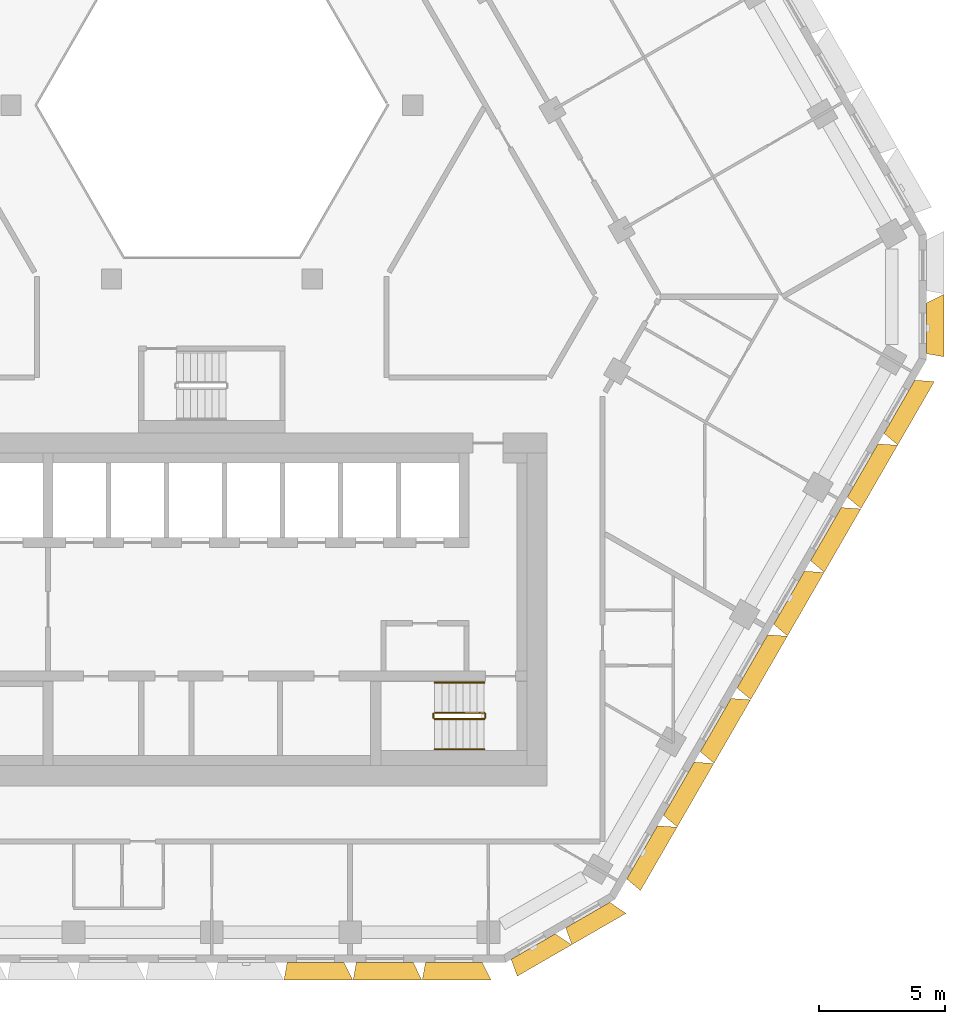
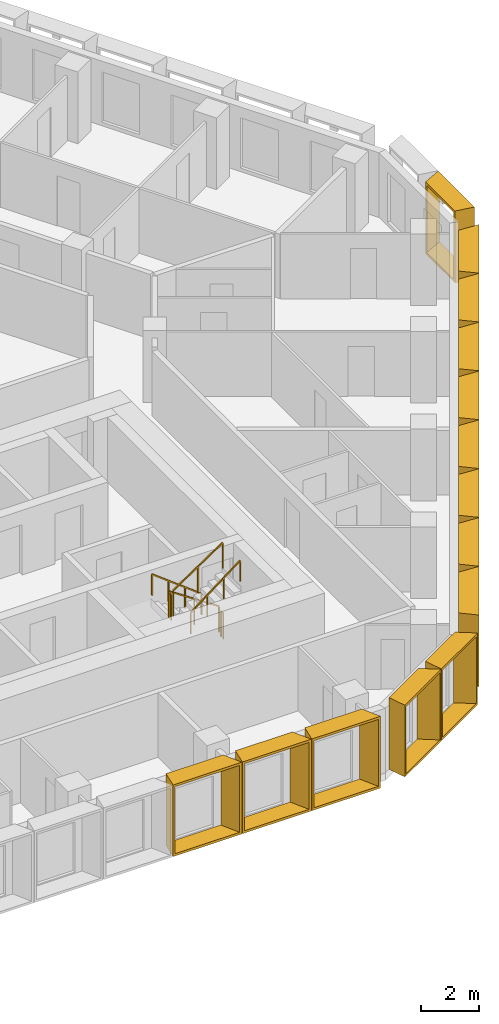
# One storey, part 16 of 17: 14 shading devices, 6 railings.
"""IFC4 building model written with IfcOpenShell, lengths in metres."""

from ifc_helpers import new_model, entity, si_unit, direction, frame, origin, origin_2d, place, context, subcontext, project, spatial, rectangle, extrude, source, transform, mapped, material, type_object, type_shapes, element, save


model = new_model("IFC4")

# Units and contexts
model_context = context("Model", 3, precision=1e-05, world=origin(), true_north=direction((0.0, 1.0)))
body_context = subcontext(model_context, "Body", "Model", "MODEL_VIEW")
ifc_project = project(units=[si_unit("LENGTHUNIT", "METRE"), si_unit("AREAUNIT", "SQUARE_METRE"), si_unit("VOLUMEUNIT", "CUBIC_METRE"), si_unit("PLANEANGLEUNIT", "RADIAN"), si_unit("MASSUNIT", "GRAM", prefix="KILO")], contexts=[model_context])

# Site, building, storey
site_placement = place(None, origin())
site = spatial("IfcSite", under=ifc_project, at=site_placement, CompositionType="ELEMENT")
building_placement = place(site_placement, origin())
building = spatial("IfcBuilding", under=site, at=building_placement, Name="Beryl Residences", CompositionType="ELEMENT")
storey_placement = place(building_placement, frame((0.0, 0.0, 126.60009765625)))
storey = spatial("IfcBuildingStorey", under=building, at=storey_placement, Name="L38", CompositionType="ELEMENT", Elevation=126.60009765625)

# Shading devices
ifc_material_1 = material(Name="Aluminium pale anodised", Category="aluminium")
shading_device_type_1 = type_object("IfcShadingDeviceType", Name="FR250-70C OUTER SKIN frame 700 mm deep, splay 10/26 deg, 2500 x 3000 mm cell", PredefinedType="USERDEFINED", material=ifc_material_1)
cartesian_point_1 = entity("IfcCartesianPoint", [-1.007568359375, 0.0])
cartesian_point_2 = entity("IfcCartesianPoint", [-0.92626953125, 0.10009765625])
cartesian_point_3 = entity("IfcCartesianPoint", [-1.130859375, 0.0])
cartesian_point_4 = entity("IfcCartesianPoint", [-1.0498046875, 0.10009765625])
shared_shape_1 = source(origin(), body_context, "Body", "SweptSolid", [
    entity("IfcExtrudedAreaSolidTapered", entity("IfcArbitraryProfileDefWithVoids", "AREA", None, entity("IfcPolyline", [cartesian_point_1, entity("IfcCartesianPoint", [1.007568359375, 0.0]), entity("IfcCartesianPoint", [1.007568359375, 3.0]), entity("IfcCartesianPoint", [-1.007568359375, 3.0]), cartesian_point_1]), [entity("IfcPolyline", [cartesian_point_2, entity("IfcCartesianPoint", [0.91845703125, 0.10009765625]), entity("IfcCartesianPoint", [0.91845703125, 2.89990234375]), entity("IfcCartesianPoint", [-0.92626953125, 2.89990234375]), cartesian_point_2])]), entity("IfcAxis2Placement3D", entity("IfcCartesianPoint", [0.0, 0.0, 0.0]), entity("IfcDirection", [0.0, 1.0, 0.0]), entity("IfcDirection", [-1.0, 0.0, 0.0])), entity("IfcDirection", [0.0, 0.0, 1.0]), 0.699951171875, entity("IfcArbitraryProfileDefWithVoids", "AREA", None, entity("IfcPolyline", [cartesian_point_3, entity("IfcCartesianPoint", [1.348876953125, 0.0]), entity("IfcCartesianPoint", [1.348876953125, 3.0]), entity("IfcCartesianPoint", [-1.130859375, 3.0]), cartesian_point_3]), [entity("IfcPolyline", [cartesian_point_4, entity("IfcCartesianPoint", [1.260009765625, 0.10009765625]), entity("IfcCartesianPoint", [1.260009765625, 2.89990234375]), entity("IfcCartesianPoint", [-1.0498046875, 2.89990234375]), cartesian_point_4])])),
])
type_shapes(shading_device_type_1, [shared_shape_1])
for number, where, z_axis, x_axis, name in (
    (1, (12.7451171875, -25.375, 0.0), (0.0, 0.0, 1.0), (-0.866025403784, -0.5, 0.0), "FR250-70C frame L38 S-SE 1"),
    (2, (14.909912109375, -24.125, 0.0), (0.0, 0.0, 1.0), (-0.866025403784, -0.5, 0.0), "FR250-70C frame L38 S-SE 2"),
    (3, (28.347900390625, -0.85009765625, 0.0), (0.0, 0.0, 1.0), (0.0, -1.0, 0.0), "FR250-70C frame L38 SE-NE 1"),
):
    element("IfcShadingDevice", number, at=place(storey_placement, frame(where, z_axis=z_axis, x_axis=x_axis)), inside=storey, type_object=shading_device_type_1, Name=name, ObjectType="OUTER SKIN", PredefinedType="USERDEFINED", context=body_context, shape_type="MappedRepresentation", body=[
        mapped(shared_shape_1, transform((0.0, 0.0, 0.0))),
    ])
ifc_material_2 = material(Name="Aluminium pale anodised", Category="aluminium")
shading_device_type_2 = type_object("IfcShadingDeviceType", Name="FR274-70C OUTER SKIN frame 700 mm deep, splay 10/26 deg, 2740 x 3000 mm cell", PredefinedType="USERDEFINED", material=ifc_material_2)
cartesian_point_5 = entity("IfcCartesianPoint", [-1.12744140625, 0.0])
cartesian_point_6 = entity("IfcCartesianPoint", [-1.04638671875, 0.10009765625])
cartesian_point_7 = entity("IfcCartesianPoint", [-1.2509765625, 0.0])
cartesian_point_8 = entity("IfcCartesianPoint", [-1.169677734375, 0.10009765625])
shared_shape_2 = source(origin(), body_context, "Body", "SweptSolid", [
    entity("IfcExtrudedAreaSolidTapered", entity("IfcArbitraryProfileDefWithVoids", "AREA", None, entity("IfcPolyline", [cartesian_point_5, entity("IfcCartesianPoint", [1.12744140625, 0.0]), entity("IfcCartesianPoint", [1.12744140625, 3.0]), entity("IfcCartesianPoint", [-1.12744140625, 3.0]), cartesian_point_5]), [entity("IfcPolyline", [cartesian_point_6, entity("IfcCartesianPoint", [1.03857421875, 0.10009765625]), entity("IfcCartesianPoint", [1.03857421875, 2.89990234375]), entity("IfcCartesianPoint", [-1.04638671875, 2.89990234375]), cartesian_point_6])]), entity("IfcAxis2Placement3D", entity("IfcCartesianPoint", [0.0, 0.0, 0.0]), entity("IfcDirection", [0.0, 1.0, 0.0]), entity("IfcDirection", [-1.0, 0.0, 0.0])), entity("IfcDirection", [0.0, 0.0, 1.0]), 0.699951171875, entity("IfcArbitraryProfileDefWithVoids", "AREA", None, entity("IfcPolyline", [cartesian_point_7, entity("IfcCartesianPoint", [1.468994140625, 0.0]), entity("IfcCartesianPoint", [1.468994140625, 3.0]), entity("IfcCartesianPoint", [-1.2509765625, 3.0]), cartesian_point_7]), [entity("IfcPolyline", [cartesian_point_8, entity("IfcCartesianPoint", [1.3798828125, 0.10009765625]), entity("IfcCartesianPoint", [1.3798828125, 2.89990234375]), entity("IfcCartesianPoint", [-1.169677734375, 2.89990234375]), cartesian_point_8])])),
])
type_shapes(shading_device_type_2, [shared_shape_2])
for number, where, z_axis, x_axis, name in (
    (4, (4.114990234375, -26.0, 0.0), (0.0, 0.0, 1.0), (-1.0, 0.0, 0.0), "FR274-70C frame L38 S 6"),
    (5, (6.85693359375, -26.0, 0.0), (0.0, 0.0, 1.0), (-1.0, 0.0, 0.0), "FR274-70C frame L38 S 7"),
    (6, (9.60009765625, -26.0, 0.0), (0.0, 0.0, 1.0), (-1.0, 0.0, 0.0), "FR274-70C frame L38 S 8"),
):
    element("IfcShadingDevice", number, at=place(storey_placement, frame(where, z_axis=z_axis, x_axis=x_axis)), inside=storey, type_object=shading_device_type_2, Name=name, ObjectType="OUTER SKIN", PredefinedType="USERDEFINED", context=body_context, shape_type="MappedRepresentation", body=[
        mapped(shared_shape_2, transform((0.0, 0.0, 0.0))),
    ])
ifc_material_3 = material(Name="Aluminium pale anodised", Category="aluminium")
shading_device_type_3 = type_object("IfcShadingDeviceType", Name="FR292-70C OUTER SKIN frame 700 mm deep, splay 10/26 deg, 2920 x 3000 mm cell", PredefinedType="USERDEFINED", material=ifc_material_3)
cartesian_point_9 = entity("IfcCartesianPoint", [-1.217529296875, 0.0])
cartesian_point_10 = entity("IfcCartesianPoint", [-1.13623046875, 0.10009765625])
cartesian_point_11 = entity("IfcCartesianPoint", [-1.3408203125, 0.0])
cartesian_point_12 = entity("IfcCartesianPoint", [-1.259765625, 0.10009765625])
shared_shape_3 = source(origin(), body_context, "Body", "SweptSolid", [
    entity("IfcExtrudedAreaSolidTapered", entity("IfcArbitraryProfileDefWithVoids", "AREA", None, entity("IfcPolyline", [cartesian_point_9, entity("IfcCartesianPoint", [1.217529296875, 0.0]), entity("IfcCartesianPoint", [1.217529296875, 3.0]), entity("IfcCartesianPoint", [-1.217529296875, 3.0]), cartesian_point_9]), [entity("IfcPolyline", [cartesian_point_10, entity("IfcCartesianPoint", [1.12841796875, 0.10009765625]), entity("IfcCartesianPoint", [1.12841796875, 2.89990234375]), entity("IfcCartesianPoint", [-1.13623046875, 2.89990234375]), cartesian_point_10])]), entity("IfcAxis2Placement3D", entity("IfcCartesianPoint", [0.0, 0.0, 0.0]), entity("IfcDirection", [0.0, 1.0, 0.0]), entity("IfcDirection", [-1.0, 0.0, 0.0])), entity("IfcDirection", [0.0, 0.0, 1.0]), 0.699951171875, entity("IfcArbitraryProfileDefWithVoids", "AREA", None, entity("IfcPolyline", [cartesian_point_11, entity("IfcCartesianPoint", [1.558837890625, 0.0]), entity("IfcCartesianPoint", [1.558837890625, 3.0]), entity("IfcCartesianPoint", [-1.3408203125, 3.0]), cartesian_point_11]), [entity("IfcPolyline", [cartesian_point_12, entity("IfcCartesianPoint", [1.469970703125, 0.10009765625]), entity("IfcCartesianPoint", [1.469970703125, 2.89990234375]), entity("IfcCartesianPoint", [-1.259765625, 2.89990234375]), cartesian_point_12])])),
])
type_shapes(shading_device_type_3, [shared_shape_3])
for number, where, z_axis, x_axis, name in (
    (7, (17.06689453125, -21.637939453125, 0.0), (0.0, 0.0, 1.0), (-0.5, -0.866025403784, 0.0), "FR292-70C frame L38 SE 1"),
    (8, (18.52490234375, -19.113037109375, 0.0), (0.0, 0.0, 1.0), (-0.5, -0.866025403784, 0.0), "FR292-70C frame L38 SE 2"),
    (9, (19.98291015625, -16.587890625, 0.0), (0.0, 0.0, 1.0), (-0.5, -0.866025403784, 0.0), "FR292-70C frame L38 SE 3"),
    (10, (21.44091796875, -14.06298828125, 0.0), (0.0, 0.0, 1.0), (-0.5, -0.866025403784, 0.0), "FR292-70C frame L38 SE 4"),
    (11, (22.89794921875, -11.5380859375, 0.0), (0.0, 0.0, 1.0), (-0.5, -0.866025403784, 0.0), "FR292-70C frame L38 SE 5"),
    (12, (24.35595703125, -9.013916015625, 0.0), (0.0, 0.0, 1.0), (-0.5, -0.866025403784, 0.0), "FR292-70C frame L38 SE 6"),
    (13, (25.81396484375, -6.489013671875, 0.0), (0.0, 0.0, 1.0), (-0.5, -0.866025403784, 0.0), "FR292-70C frame L38 SE 7"),
    (14, (27.27197265625, -3.964111328125, 0.0), (0.0, 0.0, 1.0), (-0.5, -0.866025403784, 0.0), "FR292-70C frame L38 SE 8"),
):
    element("IfcShadingDevice", number, at=place(storey_placement, frame(where, z_axis=z_axis, x_axis=x_axis)), inside=storey, type_object=shading_device_type_3, Name=name, ObjectType="OUTER SKIN", PredefinedType="USERDEFINED", context=body_context, shape_type="MappedRepresentation", body=[
        mapped(shared_shape_3, transform((0.0, 0.0, 0.0))),
    ])

# Railings
ifc_material_4 = material(Name="Stainless steel balustrade with glass infill", Category="steel")
railing_type_1 = type_object("IfcRailingType", Name="SG1 stair guard 1100 mm", PredefinedType="GUARDRAIL", material=ifc_material_4)
railing_1_placement = place(storey_placement, frame((10.800048828125, -16.10009765625, 0.1875)))
element("IfcRailing", 15, at=railing_1_placement, inside=storey, type_object=railing_type_1, Name="L38 ST-3 stair guard 1", PredefinedType="GUARDRAIL", context=body_context, shape_type="SweptSolid", body=[
    extrude(rectangle(XDim=0.048095703125, YDim=0.048095703125, at=origin_2d()), frame((0.0, 0.0, 1.076171875), z_axis=(-0.830902050051, 0.0, 0.556418712142), x_axis=(0.0, -1.0, 0.0)), (0.0, 0.0, 1.0), 2.35888671875),
    extrude(rectangle(XDim=0.0419921875, YDim=0.0419921875, at=origin_2d()), origin(), (0.0, 0.0, 1.0), 1.052001953125),
    extrude(rectangle(XDim=0.0419921875, YDim=0.0419921875, at=origin_2d()), frame((-0.97998046875, 0.0, 0.65625)), (0.0, 0.0, 1.0), 1.052001953125),
    extrude(rectangle(XDim=0.0419921875, YDim=0.0419921875, at=origin_2d()), frame((-1.9599609375, 0.0, 1.3125)), (0.0, 0.0, 1.0), 1.052001953125),
])
railing_2_placement = place(storey_placement, frame((8.7900390625, -16.14990234375, 1.5)))
element("IfcRailing", 16, at=railing_2_placement, inside=storey, type_object=railing_type_1, Name="L38 ST-3 stair guard 2", PredefinedType="GUARDRAIL", context=body_context, shape_type="SweptSolid", body=[
    extrude(rectangle(XDim=0.048095703125, YDim=0.048095703125, at=origin_2d()), frame((0.0, 0.0, 1.076171875), z_axis=(0.0, -1.0, 0.0), x_axis=(1.0, 0.0, 0.0)), (0.0, 0.0, 1.0), 0.150146484375),
    extrude(rectangle(XDim=0.0419921875, YDim=0.0419921875, at=origin_2d()), origin(), (0.0, 0.0, 1.0), 1.052001953125),
    extrude(rectangle(XDim=0.0419921875, YDim=0.0419921875, at=origin_2d()), frame((0.0, -0.150146484375, 0.0)), (0.0, 0.0, 1.0), 1.052001953125),
])
railing_3_placement = place(storey_placement, frame((8.840087890625, -16.35009765625, 1.6875)))
element("IfcRailing", 17, at=railing_3_placement, inside=storey, type_object=railing_type_1, Name="L38 ST-3 stair guard 3", PredefinedType="GUARDRAIL", context=body_context, shape_type="SweptSolid", body=[
    extrude(rectangle(XDim=0.048095703125, YDim=0.048095703125, at=origin_2d()), frame((0.0, 0.0, 1.076171875), z_axis=(0.830902050051, 0.0, 0.556418712142), x_axis=(0.0, 1.0, 0.0)), (0.0, 0.0, 1.0), 2.35888671875),
    extrude(rectangle(XDim=0.0419921875, YDim=0.0419921875, at=origin_2d()), origin(), (0.0, 0.0, 1.0), 1.052001953125),
    extrude(rectangle(XDim=0.0419921875, YDim=0.0419921875, at=origin_2d()), frame((0.97998046875, 0.0, 0.65625)), (0.0, 0.0, 1.0), 1.052001953125),
    extrude(rectangle(XDim=0.0419921875, YDim=0.0419921875, at=origin_2d()), frame((1.9599609375, 0.0, 1.3125)), (0.0, 0.0, 1.0), 1.052001953125),
])
railing_4_placement = place(storey_placement, frame((10.85009765625, -16.14990234375, 0.0)))
element("IfcRailing", 18, at=railing_4_placement, inside=storey, type_object=railing_type_1, Name="L38 ST-3 stair guard 4", PredefinedType="GUARDRAIL", context=body_context, shape_type="SweptSolid", body=[
    extrude(rectangle(XDim=0.048095703125, YDim=0.048095703125, at=origin_2d()), frame((0.0, 0.0, 1.076171875), z_axis=(0.0, -1.0, 0.0), x_axis=(1.0, 0.0, 0.0)), (0.0, 0.0, 1.0), 0.150146484375),
    extrude(rectangle(XDim=0.0419921875, YDim=0.0419921875, at=origin_2d()), origin(), (0.0, 0.0, 1.0), 1.052001953125),
    extrude(rectangle(XDim=0.0419921875, YDim=0.0419921875, at=origin_2d()), frame((0.0, -0.150146484375, 0.0)), (0.0, 0.0, 1.0), 1.052001953125),
])
ifc_material_5 = material(Name="Stainless steel handrail", Category="steel")
railing_type_2 = type_object("IfcRailingType", Name="SRL1 stair handrail 900 mm", PredefinedType="HANDRAIL", material=ifc_material_5)
railing_5_placement = place(storey_placement, frame((10.800048828125, -14.89990234375, 0.1875)))
element("IfcRailing", 19, at=railing_5_placement, inside=storey, type_object=railing_type_2, Name="L38 ST-3 stair handrail 1", PredefinedType="HANDRAIL", context=body_context, shape_type="SweptSolid", body=[
    extrude(rectangle(XDim=0.048095703125, YDim=0.048095703125, at=origin_2d()), frame((0.0, 0.0, 0.8759765625), z_axis=(-0.794121922505, 0.0, 0.607758481798), x_axis=(0.0, -1.0, 0.0)), (0.0, 0.0, 1.0), 2.468017578125),
    extrude(rectangle(XDim=0.0419921875, YDim=0.0419921875, at=origin_2d()), origin(), (0.0, 0.0, 1.0), 0.851806640625),
    extrude(rectangle(XDim=0.0419921875, YDim=0.0419921875, at=origin_2d()), frame((-0.6533203125, 0.0, 0.5)), (0.0, 0.0, 1.0), 0.851806640625),
    extrude(rectangle(XDim=0.0419921875, YDim=0.0419921875, at=origin_2d()), frame((-1.306640625, 0.0, 1.0)), (0.0, 0.0, 1.0), 0.851806640625),
    extrude(rectangle(XDim=0.0419921875, YDim=0.0419921875, at=origin_2d()), frame((-1.9599609375, 0.0, 1.5)), (0.0, 0.0, 1.0), 0.851806640625),
])
railing_6_placement = place(storey_placement, frame((8.840087890625, -17.550048828125, 1.6875)))
element("IfcRailing", 20, at=railing_6_placement, inside=storey, type_object=railing_type_2, Name="L38 ST-3 stair handrail 2", PredefinedType="HANDRAIL", context=body_context, shape_type="SweptSolid", body=[
    extrude(rectangle(XDim=0.048095703125, YDim=0.048095703125, at=origin_2d()), frame((0.0, 0.0, 0.8759765625), z_axis=(0.794121922505, 0.0, 0.607758481798), x_axis=(0.0, 1.0, 0.0)), (0.0, 0.0, 1.0), 2.468017578125),
    extrude(rectangle(XDim=0.0419921875, YDim=0.0419921875, at=origin_2d()), origin(), (0.0, 0.0, 1.0), 0.851806640625),
    extrude(rectangle(XDim=0.0419921875, YDim=0.0419921875, at=origin_2d()), frame((0.6533203125, 0.0, 0.5)), (0.0, 0.0, 1.0), 0.851806640625),
    extrude(rectangle(XDim=0.0419921875, YDim=0.0419921875, at=origin_2d()), frame((1.306640625, 0.0, 1.0)), (0.0, 0.0, 1.0), 0.851806640625),
    extrude(rectangle(XDim=0.0419921875, YDim=0.0419921875, at=origin_2d()), frame((1.9599609375, 0.0, 1.5)), (0.0, 0.0, 1.0), 0.851806640625),
])

save(model, "model.ifc")
